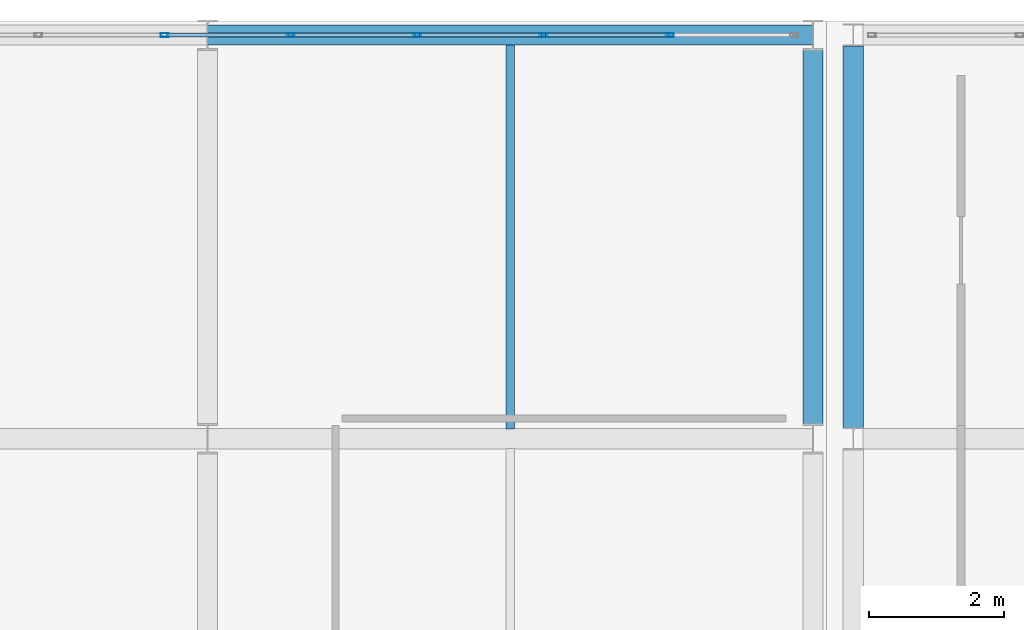
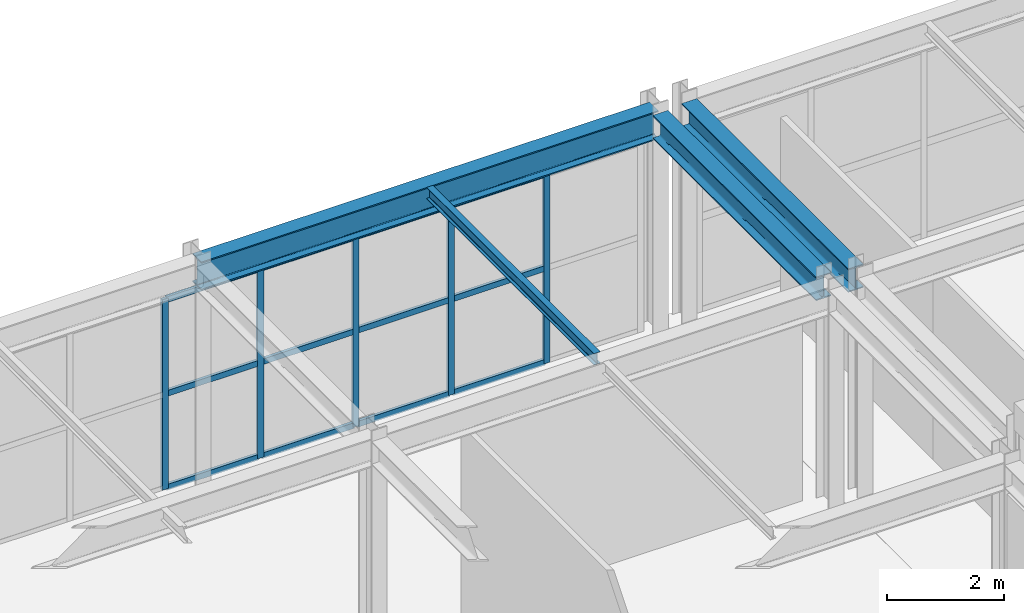
# One storey, part 82 of 112: 17 members, 4 beams, 1 element without a shape of its own.
"""IFC4 building model written with IfcOpenShell, lengths in metres."""

from ifc_helpers import new_model, si_unit, direction, frame, origin, origin_2d, place, context, subcontext, project, spatial, hollow_rectangle, i_section, extrude, material, material_profile, profile_set, type_object, element, aggregate, save


model = new_model("IFC4")

# Units and contexts
model_context = context("Model", 3, precision=1e-05, world=origin(), true_north=direction((0.0, 1.0)))
body_context = subcontext(model_context, "Body", "Model", "MODEL_VIEW")
ifc_project = project(units=[si_unit("LENGTHUNIT", "METRE"), si_unit("AREAUNIT", "SQUARE_METRE"), si_unit("VOLUMEUNIT", "CUBIC_METRE"), si_unit("PLANEANGLEUNIT", "RADIAN"), si_unit("MASSUNIT", "GRAM", prefix="KILO")], contexts=[model_context])

# Site, building, storey
site_placement = place(None, origin())
site = spatial("IfcSite", under=ifc_project, at=site_placement, CompositionType="ELEMENT")
building_placement = place(site_placement, origin())
building = spatial("IfcBuilding", under=site, at=building_placement, Name="Kaldris Quays Convention Centre", CompositionType="ELEMENT")
storey_placement = place(building_placement, frame((0.0, 0.0, 16.800048828125)))
storey = spatial("IfcBuildingStorey", under=building, at=storey_placement, Name="L03", CompositionType="ELEMENT", Elevation=16.800048828125)

# Curtain wall, members
ifc_material_1 = material(Name="Anodized aluminium AW-6060 and triple glazing", Category="aluminium")
curtain_wall_type = type_object("IfcCurtainWallType", Name="UNITISED CURTAIN WALL CW05", PredefinedType="NOTDEFINED", material=ifc_material_1)
curtain_wall_placement = place(storey_placement, origin())
curtain_wall = element("IfcCurtainWall", 1, at=curtain_wall_placement, inside=storey, type_object=curtain_wall_type, Name="L03 Unitised Curtain Wall CW05 148", PredefinedType="NOTDEFINED")
ifc_material_2 = material(Name="Anodized aluminium AW-6060", Category="aluminium")
ifc_material_profile_1 = material_profile(ifc_material_2, hollow_rectangle(XDim=0.06005859375, YDim=0.1201171875, WallThickness=0.00390625, at=origin_2d()), Name="RHS 120x60x4")
ifc_profile_set_1 = profile_set([ifc_material_profile_1], Name="Anodized aluminium AW-6060")
member_type_1 = type_object("IfcMemberType", Name="CURTAIN MULLION CWM3", PredefinedType="MULLION", material=ifc_profile_set_1)
member_1_placement = place(storey_placement, frame((154.361083984375, 116.0, 0.0), z_axis=(0.0, 0.0, 1.0), x_axis=(0.0, 1.0, 0.0)))
member_1 = element("IfcMember", 2, at=member_1_placement, type_object=member_type_1, Name="CW05 mullion 5", PredefinedType="MULLION", context=body_context, shape_type="SweptSolid", body=[
    extrude(hollow_rectangle(XDim=0.06005859375, YDim=0.1201171875, WallThickness=0.00390625, at=origin_2d()), origin(), (0.0, 0.0, 1.0), 3.967041015625),
])
member_2_placement = place(storey_placement, frame((156.23876953125, 116.0, 0.0), z_axis=(0.0, 0.0, 1.0), x_axis=(0.0, 1.0, 0.0)))
member_2 = element("IfcMember", 3, at=member_2_placement, type_object=member_type_1, Name="CW05 mullion 6", PredefinedType="MULLION", context=body_context, shape_type="SweptSolid", body=[
    extrude(hollow_rectangle(XDim=0.06005859375, YDim=0.1201171875, WallThickness=0.00390625, at=origin_2d()), origin(), (0.0, 0.0, 1.0), 3.967041015625),
])
member_3_placement = place(storey_placement, frame((158.11669921875, 116.0, 0.0), z_axis=(0.0, 0.0, 1.0), x_axis=(0.0, 1.0, 0.0)))
member_3 = element("IfcMember", 4, at=member_3_placement, type_object=member_type_1, Name="CW05 mullion 7", PredefinedType="MULLION", context=body_context, shape_type="SweptSolid", body=[
    extrude(hollow_rectangle(XDim=0.06005859375, YDim=0.1201171875, WallThickness=0.00390625, at=origin_2d()), origin(), (0.0, 0.0, 1.0), 3.967041015625),
])
member_4_placement = place(storey_placement, frame((159.994384765625, 116.0, 0.0), z_axis=(0.0, 0.0, 1.0), x_axis=(0.0, 1.0, 0.0)))
member_4 = element("IfcMember", 5, at=member_4_placement, type_object=member_type_1, Name="CW05 mullion 8", PredefinedType="MULLION", context=body_context, shape_type="SweptSolid", body=[
    extrude(hollow_rectangle(XDim=0.06005859375, YDim=0.1201171875, WallThickness=0.00390625, at=origin_2d()), origin(), (0.0, 0.0, 1.0), 3.967041015625),
])
member_5_placement = place(storey_placement, frame((161.872314453125, 116.0, 0.0), z_axis=(0.0, 0.0, 1.0), x_axis=(0.0, 1.0, 0.0)))
member_5 = element("IfcMember", 6, at=member_5_placement, type_object=member_type_1, Name="CW05 mullion 9", PredefinedType="MULLION", context=body_context, shape_type="SweptSolid", body=[
    extrude(hollow_rectangle(XDim=0.06005859375, YDim=0.1201171875, WallThickness=0.00390625, at=origin_2d()), origin(), (0.0, 0.0, 1.0), 3.967041015625),
])
ifc_material_profile_2 = material_profile(ifc_material_2, hollow_rectangle(XDim=0.06005859375, YDim=0.1201171875, WallThickness=0.00390625, at=origin_2d()), Name="RHS 120x60x4")
ifc_profile_set_2 = profile_set([ifc_material_profile_2], Name="Anodized aluminium AW-6060")
member_type_2 = type_object("IfcMemberType", Name="CURTAIN TRANSOM CWT1", PredefinedType="USERDEFINED", material=ifc_profile_set_2)
member_6_placement = place(storey_placement, frame((154.39111328125, 116.0, 0.030029296875), z_axis=(1.0, 0.0, 0.0), x_axis=(0.0, 1.0, 0.0)))
member_6 = element("IfcMember", 7, at=member_6_placement, type_object=member_type_2, Name="CW05 transom 5.1", ObjectType="TRANSOM", PredefinedType="USERDEFINED", context=body_context, shape_type="SweptSolid", body=[
    extrude(hollow_rectangle(XDim=0.06005859375, YDim=0.1201171875, WallThickness=0.00390625, at=origin_2d()), origin(), (0.0, 0.0, 1.0), 1.81787109375),
])
member_7_placement = place(storey_placement, frame((154.39111328125, 116.0, 1.98388671875), z_axis=(1.0, 0.0, 0.0), x_axis=(0.0, 1.0, 0.0)))
member_7 = element("IfcMember", 8, at=member_7_placement, type_object=member_type_2, Name="CW05 transom 5.2", ObjectType="TRANSOM", PredefinedType="USERDEFINED", context=body_context, shape_type="SweptSolid", body=[
    extrude(hollow_rectangle(XDim=0.06005859375, YDim=0.1201171875, WallThickness=0.00390625, at=origin_2d()), origin(), (0.0, 0.0, 1.0), 1.81787109375),
])
member_8_placement = place(storey_placement, frame((154.39111328125, 116.0, 3.93701171875), z_axis=(1.0, 0.0, 0.0), x_axis=(0.0, 1.0, 0.0)))
member_8 = element("IfcMember", 9, at=member_8_placement, type_object=member_type_2, Name="CW05 transom 5.3", ObjectType="TRANSOM", PredefinedType="USERDEFINED", context=body_context, shape_type="SweptSolid", body=[
    extrude(hollow_rectangle(XDim=0.06005859375, YDim=0.1201171875, WallThickness=0.00390625, at=origin_2d()), origin(), (0.0, 0.0, 1.0), 1.81787109375),
])
member_9_placement = place(storey_placement, frame((156.268798828125, 116.0, 0.030029296875), z_axis=(1.0, 0.0, 0.0), x_axis=(0.0, 1.0, 0.0)))
member_9 = element("IfcMember", 10, at=member_9_placement, type_object=member_type_2, Name="CW05 transom 6.1", ObjectType="TRANSOM", PredefinedType="USERDEFINED", context=body_context, shape_type="SweptSolid", body=[
    extrude(hollow_rectangle(XDim=0.06005859375, YDim=0.1201171875, WallThickness=0.00390625, at=origin_2d()), origin(), (0.0, 0.0, 1.0), 1.81787109375),
])
member_10_placement = place(storey_placement, frame((156.268798828125, 116.0, 1.98388671875), z_axis=(1.0, 0.0, 0.0), x_axis=(0.0, 1.0, 0.0)))
member_10 = element("IfcMember", 11, at=member_10_placement, type_object=member_type_2, Name="CW05 transom 6.2", ObjectType="TRANSOM", PredefinedType="USERDEFINED", context=body_context, shape_type="SweptSolid", body=[
    extrude(hollow_rectangle(XDim=0.06005859375, YDim=0.1201171875, WallThickness=0.00390625, at=origin_2d()), origin(), (0.0, 0.0, 1.0), 1.81787109375),
])
member_11_placement = place(storey_placement, frame((156.268798828125, 116.0, 3.93701171875), z_axis=(1.0, 0.0, 0.0), x_axis=(0.0, 1.0, 0.0)))
member_11 = element("IfcMember", 12, at=member_11_placement, type_object=member_type_2, Name="CW05 transom 6.3", ObjectType="TRANSOM", PredefinedType="USERDEFINED", context=body_context, shape_type="SweptSolid", body=[
    extrude(hollow_rectangle(XDim=0.06005859375, YDim=0.1201171875, WallThickness=0.00390625, at=origin_2d()), origin(), (0.0, 0.0, 1.0), 1.81787109375),
])
member_12_placement = place(storey_placement, frame((158.146728515625, 116.0, 0.030029296875), z_axis=(1.0, 0.0, 0.0), x_axis=(0.0, 1.0, 0.0)))
member_12 = element("IfcMember", 13, at=member_12_placement, type_object=member_type_2, Name="CW05 transom 7.1", ObjectType="TRANSOM", PredefinedType="USERDEFINED", context=body_context, shape_type="SweptSolid", body=[
    extrude(hollow_rectangle(XDim=0.06005859375, YDim=0.1201171875, WallThickness=0.00390625, at=origin_2d()), origin(), (0.0, 0.0, 1.0), 1.817626953125),
])
member_13_placement = place(storey_placement, frame((158.146728515625, 116.0, 1.98388671875), z_axis=(1.0, 0.0, 0.0), x_axis=(0.0, 1.0, 0.0)))
member_13 = element("IfcMember", 14, at=member_13_placement, type_object=member_type_2, Name="CW05 transom 7.2", ObjectType="TRANSOM", PredefinedType="USERDEFINED", context=body_context, shape_type="SweptSolid", body=[
    extrude(hollow_rectangle(XDim=0.06005859375, YDim=0.1201171875, WallThickness=0.00390625, at=origin_2d()), origin(), (0.0, 0.0, 1.0), 1.817626953125),
])
member_14_placement = place(storey_placement, frame((158.146728515625, 116.0, 3.93701171875), z_axis=(1.0, 0.0, 0.0), x_axis=(0.0, 1.0, 0.0)))
member_14 = element("IfcMember", 15, at=member_14_placement, type_object=member_type_2, Name="CW05 transom 7.3", ObjectType="TRANSOM", PredefinedType="USERDEFINED", context=body_context, shape_type="SweptSolid", body=[
    extrude(hollow_rectangle(XDim=0.06005859375, YDim=0.1201171875, WallThickness=0.00390625, at=origin_2d()), origin(), (0.0, 0.0, 1.0), 1.817626953125),
])
member_15_placement = place(storey_placement, frame((160.0244140625, 116.0, 0.030029296875), z_axis=(1.0, 0.0, 0.0), x_axis=(0.0, 1.0, 0.0)))
member_15 = element("IfcMember", 16, at=member_15_placement, type_object=member_type_2, Name="CW05 transom 8.1", ObjectType="TRANSOM", PredefinedType="USERDEFINED", context=body_context, shape_type="SweptSolid", body=[
    extrude(hollow_rectangle(XDim=0.06005859375, YDim=0.1201171875, WallThickness=0.00390625, at=origin_2d()), origin(), (0.0, 0.0, 1.0), 1.81787109375),
])
member_16_placement = place(storey_placement, frame((160.0244140625, 116.0, 1.98388671875), z_axis=(1.0, 0.0, 0.0), x_axis=(0.0, 1.0, 0.0)))
member_16 = element("IfcMember", 17, at=member_16_placement, type_object=member_type_2, Name="CW05 transom 8.2", ObjectType="TRANSOM", PredefinedType="USERDEFINED", context=body_context, shape_type="SweptSolid", body=[
    extrude(hollow_rectangle(XDim=0.06005859375, YDim=0.1201171875, WallThickness=0.00390625, at=origin_2d()), origin(), (0.0, 0.0, 1.0), 1.81787109375),
])
member_17_placement = place(storey_placement, frame((160.0244140625, 116.0, 3.93701171875), z_axis=(1.0, 0.0, 0.0), x_axis=(0.0, 1.0, 0.0)))
member_17 = element("IfcMember", 18, at=member_17_placement, type_object=member_type_2, Name="CW05 transom 8.3", ObjectType="TRANSOM", PredefinedType="USERDEFINED", context=body_context, shape_type="SweptSolid", body=[
    extrude(hollow_rectangle(XDim=0.06005859375, YDim=0.1201171875, WallThickness=0.00390625, at=origin_2d()), origin(), (0.0, 0.0, 1.0), 1.81787109375),
])
aggregate(curtain_wall, [member_1, member_2, member_3, member_4, member_5, member_6, member_7, member_8, member_9, member_10, member_11, member_12, member_13, member_14, member_15, member_16, member_17])

# Beams
ifc_material_3 = material(Name="Steel S355J2", Category="steel")
ifc_material_profile_3 = material_profile(ifc_material_3, i_section(OverallWidth=0.300048828125, OverallDepth=0.590087890625, WebThickness=0.012939453125, FlangeThickness=0.02490234375, FilletRadius=0.027099609375, at=origin_2d()), Name="HEA 600")
ifc_profile_set_3 = profile_set([ifc_material_profile_3], Name="Steel S355J2")
beam_type_1 = type_object("IfcBeamType", Name="STRUCTURAL BEAM BM08", PredefinedType="BEAM", material=ifc_profile_set_3)
beam_1_placement = place(storey_placement, frame((155.0009765625, 116.0, 4.286865234375), z_axis=(1.0, 0.0, 0.0), x_axis=(0.0, 1.0, 0.0)))
element("IfcBeam", 19, at=beam_1_placement, inside=storey, type_object=beam_type_1, Name="L03 Girder BM08 52", PredefinedType="BEAM", context=body_context, shape_type="SweptSolid", body=[
    extrude(i_section(OverallWidth=0.300048828125, OverallDepth=0.590087890625, WebThickness=0.012939453125, FlangeThickness=0.02490234375, FilletRadius=0.027099609375, at=origin_2d()), origin(), (0.0, 0.0, 1.0), 8.998046875),
])
ifc_material_profile_4 = material_profile(ifc_material_3, i_section(OverallWidth=0.300048828125, OverallDepth=0.489990234375, WebThickness=0.011962890625, FlangeThickness=0.02294921875, FilletRadius=0.027099609375, at=origin_2d()), Name="HEA 500")
ifc_profile_set_4 = profile_set([ifc_material_profile_4], Name="Steel S355J2")
beam_type_2 = type_object("IfcBeamType", Name="STRUCTURAL BEAM BM09", PredefinedType="BEAM", material=ifc_profile_set_4)
beam_2_placement = place(storey_placement, frame((164.0, 110.218994140625, 4.3369140625), z_axis=(0.0, 1.0, 0.0), x_axis=(-1.0, 0.0, 0.0)))
element("IfcBeam", 20, at=beam_2_placement, inside=storey, type_object=beam_type_2, Name="L03 Girder BM09 101", PredefinedType="BEAM", context=body_context, shape_type="SweptSolid", body=[
    extrude(i_section(OverallWidth=0.300048828125, OverallDepth=0.489990234375, WebThickness=0.011962890625, FlangeThickness=0.02294921875, FilletRadius=0.027099609375, at=origin_2d()), origin(), (0.0, 0.0, 1.0), 5.56201171875),
])
beam_3_placement = place(storey_placement, frame((164.60009765625, 110.158935546875, 4.3369140625), z_axis=(0.0, 1.0, 0.0), x_axis=(-1.0, 0.0, 0.0)))
element("IfcBeam", 21, at=beam_3_placement, inside=storey, type_object=beam_type_2, Name="L03 Girder BM09 103", PredefinedType="BEAM", context=body_context, shape_type="SweptSolid", body=[
    extrude(i_section(OverallWidth=0.300048828125, OverallDepth=0.489990234375, WebThickness=0.011962890625, FlangeThickness=0.02294921875, FilletRadius=0.027099609375, at=origin_2d()), origin(), (0.0, 0.0, 1.0), 5.68212890625),
])
ifc_material_profile_5 = material_profile(ifc_material_3, i_section(OverallWidth=0.1201171875, OverallDepth=0.239990234375, WebThickness=0.006103515625, FlangeThickness=0.009765625, FilletRadius=0.014892578125, at=origin_2d()), Name="IPE 240")
ifc_profile_set_5 = profile_set([ifc_material_profile_5], Name="Steel S355J2")
beam_type_3 = type_object("IfcBeamType", Name="STRUCTURAL BEAM JT05", PredefinedType="JOIST", material=ifc_profile_set_5)
beam_4_placement = place(storey_placement, frame((159.5, 110.14404296875, 4.4619140625), z_axis=(0.0, 1.0, 0.0), x_axis=(-1.0, 0.0, 0.0)))
element("IfcBeam", 22, at=beam_4_placement, inside=storey, type_object=beam_type_3, Name="L03 Secondary Joist JT05 32", PredefinedType="JOIST", context=body_context, shape_type="SweptSolid", body=[
    extrude(i_section(OverallWidth=0.1201171875, OverallDepth=0.239990234375, WebThickness=0.006103515625, FlangeThickness=0.009765625, FilletRadius=0.014892578125, at=origin_2d()), origin(), (0.0, 0.0, 1.0), 5.7119140625),
])

save(model, "model.ifc")
